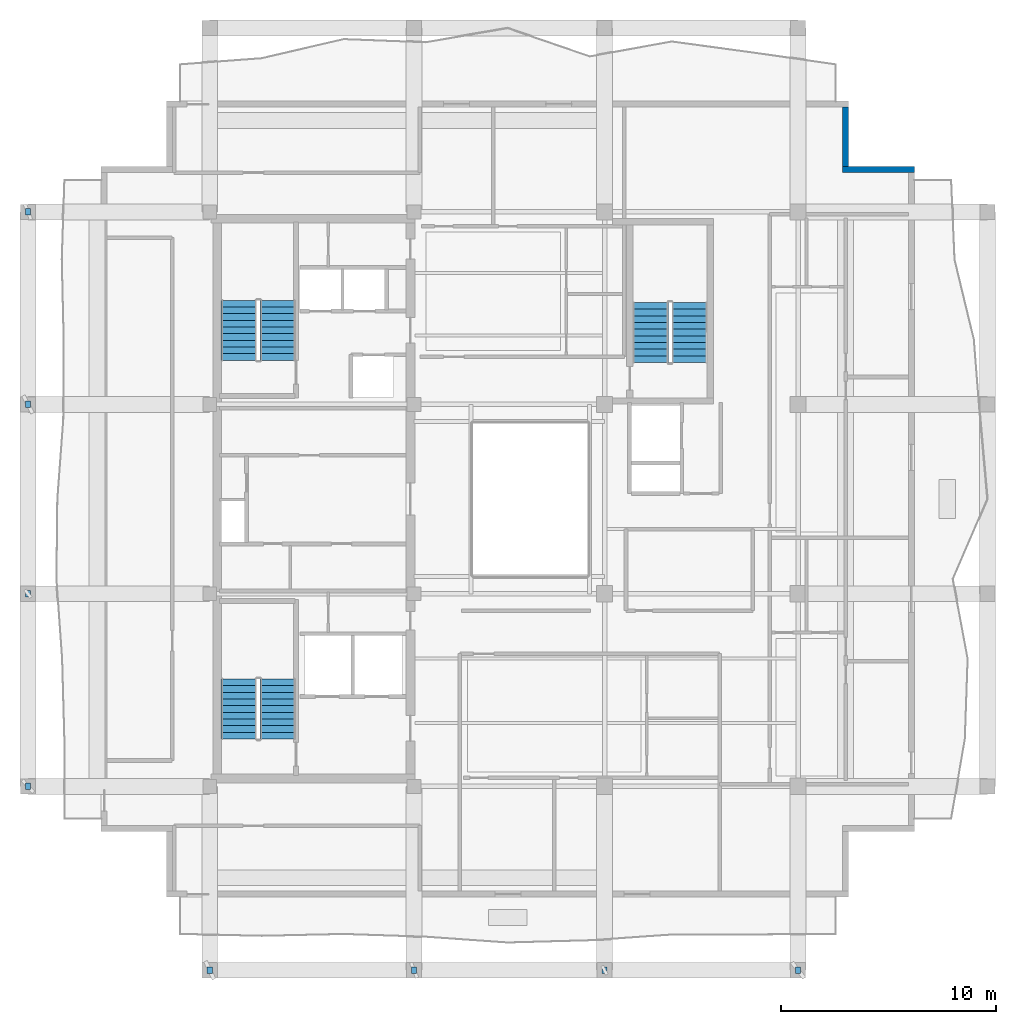
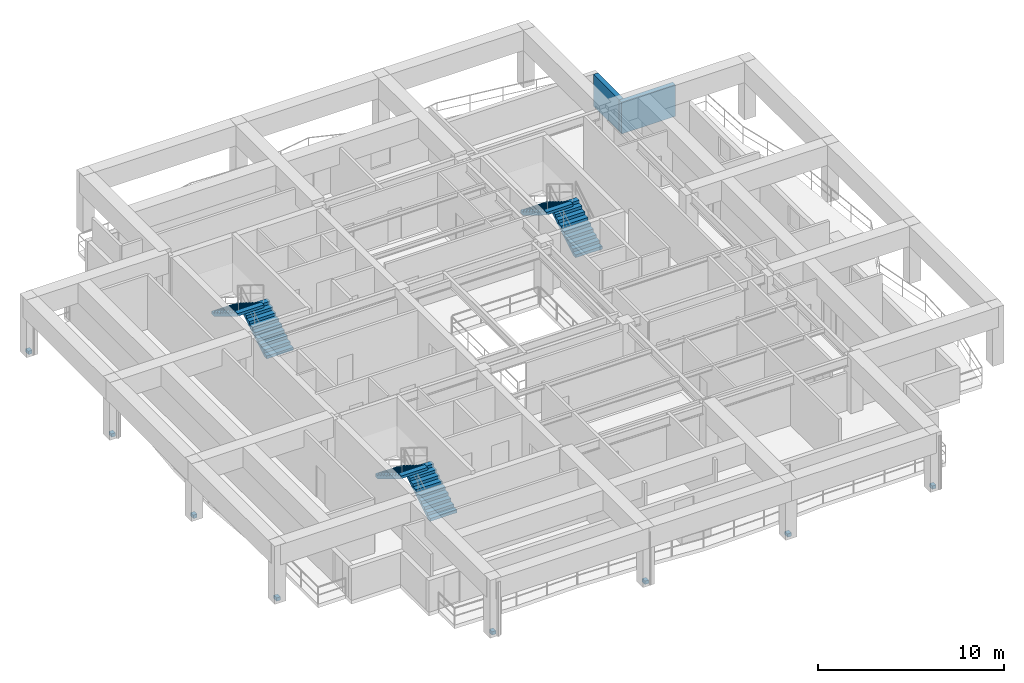
# One storey, part 6 of 10: 8 discrete accessories, 6 stair flights, 2 walls, 3 elements without a shape of their own.
"""IFC4 building model written with IfcOpenShell, lengths in metres."""

import ifcopenshell
import ifcopenshell.guid

model = None  # the IFC model being written
_history = None  # IfcOwnerHistory: only IFC2X3 demands one
_inside = {}  # id of a spatial element -> (the spatial element, [elements in it])
_under = {}  # id of a project, library or spatial element -> (it, [spatial elements below it])
_declared = {}  # id of a project -> (the project, [libraries it declares])
_typed = {}  # id of a type object -> (the type object, [elements of that type])
_made_of = {}  # id of a material, layer set ... -> (it, [elements and type objects made of it])


def new_model(schema):
    """Start an empty IFC model of exactly this schema.

    Asked for "IFC4X3", IfcOpenShell would pick the latest addendum, in which some entities
    have other attributes; the version numbers below select the first issue.
    IFC2X3 requires an IfcOwnerHistory on every rooted entity: one is made here for all.
    """
    global model, _history
    if schema == "IFC4X3":
        model = ifcopenshell.file(schema_version=(4, 3, 0, 0))
    else:
        model = ifcopenshell.file(schema=schema)
    _inside.clear()
    _under.clear()
    _declared.clear()
    _typed.clear()
    _made_of.clear()
    _history = None
    if model.schema == "IFC2X3":
        org = make("IfcOrganization", Name="unknown")
        user = make(
            "IfcPersonAndOrganization",
            ThePerson=make("IfcPerson", FamilyName="unknown"),
            TheOrganization=org,
        )
        app = make(
            "IfcApplication",
            ApplicationDeveloper=org,
            Version="unknown",
            ApplicationFullName="unknown",
            ApplicationIdentifier="unknown",
        )
        _history = make(
            "IfcOwnerHistory",
            OwningUser=user,
            OwningApplication=app,
            ChangeAction="ADDED",
            CreationDate=0,
        )
    return model


def make(cls, **values):
    """One entity of the class cls with the attributes given. An attribute that is None is left unset."""
    return model.create_entity(
        cls, **{name: value for name, value in values.items() if value is not None}
    )


def rooted(cls, **values):
    """An entity with a GlobalId (a new one), such as an element, a storey or a relation."""
    return make(cls, GlobalId=ifcopenshell.guid.new(), OwnerHistory=_history, **values)


def si_unit(unit_type, name, prefix=None):
    """IfcSIUnit, for example si_unit("LENGTHUNIT", "METRE", prefix="MILLI")."""
    return make("IfcSIUnit", UnitType=unit_type, Prefix=prefix, Name=name)


def assignment(units):
    """IfcUnitAssignment: the units of a project."""
    return None if units is None else make("IfcUnitAssignment", Units=units)


def point(xyz):
    """IfcCartesianPoint."""
    return None if xyz is None else make("IfcCartesianPoint", Coordinates=xyz)


def direction(xyz):
    """IfcDirection."""
    return None if xyz is None else make("IfcDirection", DirectionRatios=xyz)


def frame(location, z_axis=None, x_axis=None):
    """IfcAxis2Placement3D, a coordinate frame: its origin and axes. An axis left out is left unset."""
    return make(
        "IfcAxis2Placement3D",
        Location=point(location),
        Axis=direction(z_axis),
        RefDirection=direction(x_axis),
    )


def frame_2d(location, x_axis=None):
    """IfcAxis2Placement2D, a coordinate frame in the plane: its origin and x axis."""
    return make(
        "IfcAxis2Placement2D", Location=point(location), RefDirection=direction(x_axis)
    )


def origin():
    """The frame at (0, 0, 0) with its axes left unset."""
    return frame((0.0, 0.0, 0.0))


def origin_2d():
    """The frame at (0, 0) in the plane with its x axis left unset."""
    return frame_2d((0.0, 0.0))


def place(relative_to, where):
    """IfcLocalPlacement: puts the frame where relative to a parent placement (None: the world)."""
    return make(
        "IfcLocalPlacement", PlacementRelTo=relative_to, RelativePlacement=where
    )


def context(
    kind, dimensions, precision=None, world=None, true_north=None, identifier=None
):
    """IfcGeometricRepresentationContext, for example the 3D "Model" context."""
    return make(
        "IfcGeometricRepresentationContext",
        ContextIdentifier=identifier,
        ContextType=kind,
        CoordinateSpaceDimension=dimensions,
        Precision=precision,
        WorldCoordinateSystem=world,
        TrueNorth=true_north,
    )


def subcontext(parent, identifier, kind, view, scale=None):
    """IfcGeometricRepresentationSubContext, for example "Body" below "Model"."""
    return make(
        "IfcGeometricRepresentationSubContext",
        ContextIdentifier=identifier,
        ContextType=kind,
        ParentContext=parent,
        TargetScale=scale,
        TargetView=view,
    )


def project(units=None, contexts=None):
    """IfcProject with its units and contexts."""
    return rooted(
        "IfcProject",
        Name="project",
        RepresentationContexts=contexts,
        UnitsInContext=assignment(units),
    )


def spatial(cls, under=None, at=None, **own):
    """A site, building, storey or space (cls), placed at a placement, below another one or the project."""
    s = rooted(cls, ObjectPlacement=at, **own)
    if under is not None:
        _under.setdefault(under.id(), (under, []))[1].append(s)
    return s


def polyline(points):
    """IfcPolyline through the points."""
    return make("IfcPolyline", Points=[point(p) for p in points])


def profile(cls, at=None, kind="AREA", **sizes):
    """A parametric profile (cls). Its sizes go by their IFC names, for example OverallWidth=200.0."""
    return make(cls, ProfileType=kind, Position=at, **sizes)


def rectangle(**sizes):
    """IfcRectangleProfileDef."""
    return profile("IfcRectangleProfileDef", **sizes)


def outline(outer, holes=None, kind="AREA"):
    """IfcArbitraryClosedProfileDef: a profile drawn as a closed curve; with holes, ...WithVoids."""
    if holes is None:
        return make("IfcArbitraryClosedProfileDef", ProfileType=kind, OuterCurve=outer)
    return make(
        "IfcArbitraryProfileDefWithVoids",
        ProfileType=kind,
        OuterCurve=outer,
        InnerCurves=holes,
    )


def extrude(swept, where, along, depth):
    """IfcExtrudedAreaSolid: the profile swept, set in the frame where, extruded along a direction by depth."""
    return make(
        "IfcExtrudedAreaSolid",
        SweptArea=swept,
        Position=where,
        ExtrudedDirection=direction(along),
        Depth=depth,
    )


def shape(context_of_items, identifier, shape_type, items):
    """IfcShapeRepresentation: the items that make up one representation, for example the "Body"."""
    return make(
        "IfcShapeRepresentation",
        ContextOfItems=context_of_items,
        RepresentationIdentifier=identifier,
        RepresentationType=shape_type,
        Items=items,
    )


def material(Name=None, Category=None):
    """IfcMaterial."""
    return make("IfcMaterial", Name=Name, Category=Category)


def layer(
    of_material, thickness, ventilated=None, Name=None, Category=None, Priority=None
):
    """IfcMaterialLayer: one layer of a wall or slab, of a material (None: an air gap)."""
    return make(
        "IfcMaterialLayer",
        Material=of_material,
        LayerThickness=thickness,
        IsVentilated=ventilated,
        Name=Name,
        Category=Category,
        Priority=Priority,
    )


def layer_set(layers, Name=None):
    """IfcMaterialLayerSet."""
    return make("IfcMaterialLayerSet", MaterialLayers=layers, LayerSetName=Name)


def made_of(thing, what):
    """Note that an element or type object is made of a material, layer set ...; save() writes the relation."""
    if what is not None:
        _made_of.setdefault(what.id(), (what, []))[1].append(thing)
    return thing


def type_object(cls, material=None, **own):
    """A type object (cls), such as IfcWallType, which elements share."""
    return made_of(rooted(cls, **own), material)


def element(
    cls,
    number,
    at=None,
    inside=None,
    cuts=None,
    type_object=None,
    material=None,
    context=None,
    identifier="Body",
    shape_type=None,
    held_by="IfcProductDefinitionShape",
    body=None,
    shapes=None,
    **own,
):
    """One element of the class cls, such as IfcWall. Its Tag is "e" and its number.

    at: its placement. inside: the storey or other place that contains it. cuts: it is an
    opening in that element (IfcRelVoidsElement). A single representation is given by context,
    identifier, shape_type and body (its items); several are given by shapes. held_by: the class
    of the entity that holds the representations. save() writes the other relations.
    """
    e = rooted(cls, Tag="e%d" % number, ObjectPlacement=at, **own)
    if body is not None:
        shapes = [shape(context, identifier, shape_type, body)]
    if shapes is not None:
        e.Representation = make(held_by, Representations=shapes)
    if inside is not None:
        _inside.setdefault(inside.id(), (inside, []))[1].append(e)
    if cuts is not None:
        rooted(
            "IfcRelVoidsElement", RelatingBuildingElement=cuts, RelatedOpeningElement=e
        )
    if type_object is not None:
        _typed.setdefault(type_object.id(), (type_object, []))[1].append(e)
    return made_of(e, material)


def aggregate(whole, parts):
    """IfcRelAggregates: a whole, such as a stair, and the parts it consists of."""
    return rooted("IfcRelAggregates", RelatingObject=whole, RelatedObjects=parts)


def save(model, path):
    """Write the relations noted so far, then the file.

    IfcRelAggregates (storeys below a building ...), IfcRelContainedInSpatialStructure (elements
    in a storey), IfcRelDefinesByType, IfcRelAssociatesMaterial and IfcRelDeclares: one each for
    every whole, place, type object, material and project.
    """
    for whole, parts in _under.values():
        aggregate(whole, parts)
    for where, things in _inside.values():
        rooted(
            "IfcRelContainedInSpatialStructure",
            RelatedElements=things,
            RelatingStructure=where,
        )
    for kind, things in _typed.values():
        rooted("IfcRelDefinesByType", RelatedObjects=things, RelatingType=kind)
    for what, things in _made_of.values():
        rooted("IfcRelAssociatesMaterial", RelatedObjects=things, RelatingMaterial=what)
    for by, libraries in _declared.values():
        rooted("IfcRelDeclares", RelatingContext=by, RelatedDefinitions=libraries)
    model.write(path)


model = new_model("IFC4")

# Units and contexts
model_context = context("Model", 3, precision=1e-05, world=origin(), true_north=direction((0.0, 1.0)))
body_context = subcontext(model_context, "Body", "Model", "MODEL_VIEW")
ifc_project = project(units=[si_unit("LENGTHUNIT", "METRE"), si_unit("AREAUNIT", "SQUARE_METRE"), si_unit("VOLUMEUNIT", "CUBIC_METRE"), si_unit("PLANEANGLEUNIT", "RADIAN"), si_unit("MASSUNIT", "GRAM", prefix="KILO")], contexts=[model_context])

# Site, building, storey
site_placement = place(None, origin())
site = spatial("IfcSite", under=ifc_project, at=site_placement, CompositionType="ELEMENT")
building_placement = place(site_placement, origin())
building = spatial("IfcBuilding", under=site, at=building_placement, Name="Kundavana Baori Tower", CompositionType="ELEMENT")
storey_placement = place(building_placement, frame((0.0, 0.0, 323.89990234375)))
storey = spatial("IfcBuildingStorey", under=building, at=storey_placement, Name="L80", CompositionType="ELEMENT", Elevation=323.89990234375)

# Walls
ifc_material_1 = material(Name="Red-Buff Dholpur Sandstone Cladding on Concrete C40/50", Category="masonry")
ifc_layer = layer(ifc_material_1, 0.280029296875, Name="WL-EXT-SAND-280")
ifc_layer_set = layer_set([ifc_layer], Name="Red-Buff Dholpur Sandstone Cladding on Concrete C40/50")
wall_type = type_object("IfcWallType", Name="WL-EXT-SAND-280", PredefinedType="STANDARD", material=ifc_layer_set)
wall_1_placement = place(storey_placement, frame((48.199951171875, 43.909912109375, 0.0), z_axis=(0.0, 0.0, 1.0), x_axis=(-1.0, 0.0, 0.0)))
element("IfcWall", 1, at=wall_1_placement, inside=storey, type_object=wall_type, Name="L80 Exterior Insulated Facade Wall 05", PredefinedType="STANDARD", context=body_context, shape_type="SweptSolid", body=[
    extrude(rectangle(XDim=3.329833984375, YDim=0.280029296875, at=frame_2d((1.6650390625, 0.0))), origin(), (0.0, 0.0, 1.0), 2.080078125),
])
wall_2_placement = place(storey_placement, frame((45.010009765625, 44.050048828125, 0.0), z_axis=(0.0, 0.0, 1.0), x_axis=(0.0, 1.0, 0.0)))
element("IfcWall", 2, at=wall_2_placement, inside=storey, type_object=wall_type, Name="L80 Exterior Insulated Facade Wall 06", PredefinedType="STANDARD", context=body_context, shape_type="SweptSolid", body=[
    extrude(rectangle(XDim=2.77001953125, YDim=0.280029296875, at=frame_2d((1.385009765625, 0.0))), origin(), (0.0, 0.0, 1.0), 2.080078125),
])

# Stair, stair flights
ifc_material_2 = material(Name="Concrete C40/50", Category="concrete")
stair_type = type_object("IfcStairType", Name="STR-DOG-1650", PredefinedType="HALF_TURN_STAIR", material=ifc_material_2)
stair_1_placement = place(storey_placement, origin())
stair_1 = element("IfcStair", 3, at=stair_1_placement, inside=storey, type_object=stair_type, Name="L80 Protected Exit Stair ST1", PredefinedType="HALF_TURN_STAIR")
ifc_material_3 = material(Name="Concrete C40/50", Category="concrete")
stair_flight_type = type_object("IfcStairFlightType", Name="SFL-RC-1650", PredefinedType="STRAIGHT", material=ifc_material_3)
stair_flight_1_placement = place(storey_placement, frame((18.614990234375, 17.449951171875, 0.0), z_axis=(0.0, 0.0, 1.0), x_axis=(0.0, 1.0, 0.0)))
stair_flight_1 = element("IfcStairFlight", 4, at=stair_flight_1_placement, type_object=stair_flight_type, Name="ST1 flight 1", NumberOfRisers=10, NumberOfTreads=9, PredefinedType="STRAIGHT", RiserHeight=0.19, TreadLength=0.31, context=body_context, shape_type="SweptSolid", body=[
    extrude(outline(polyline([(0.0, 0.0), (0.0, 0.18994140625), (0.31005859375, 0.18994140625), (0.31005859375, 0.3798828125), (0.6201171875, 0.3798828125), (0.6201171875, 0.570068359375), (0.929931640625, 0.570068359375), (0.929931640625, 0.760009765625), (1.239990234375, 0.760009765625), (1.239990234375, 0.949951171875), (1.550048828125, 0.949951171875), (1.550048828125, 1.139892578125), (1.860107421875, 1.139892578125), (1.860107421875, 1.330078125), (2.169921875, 1.330078125), (2.169921875, 1.52001953125), (2.47998046875, 1.52001953125), (2.47998046875, 1.7099609375), (2.7900390625, 1.7099609375), (2.7900390625, 1.89990234375), (2.7900390625, 1.5341796875), (0.286865234375, 0.0), (0.0, 0.0)])), frame((0.0, 0.824951171875, 0.0), z_axis=(0.0, -1.0, 0.0), x_axis=(1.0, 0.0, 0.0)), (0.0, 0.0, 1.0), 1.64990234375),
])
stair_flight_2_placement = place(storey_placement, frame((16.804931640625, 20.239990234375, 1.900146484375), z_axis=(0.0, 0.0, 1.0), x_axis=(0.0, -1.0, 0.0)))
stair_flight_2 = element("IfcStairFlight", 5, at=stair_flight_2_placement, type_object=stair_flight_type, Name="ST1 flight 2", NumberOfRisers=10, NumberOfTreads=9, PredefinedType="STRAIGHT", RiserHeight=0.19, TreadLength=0.31, context=body_context, shape_type="SweptSolid", body=[
    extrude(outline(polyline([(0.0, 0.0), (0.0, 0.18994140625), (0.31005859375, 0.18994140625), (0.31005859375, 0.3798828125), (0.6201171875, 0.3798828125), (0.6201171875, 0.570068359375), (0.929931640625, 0.570068359375), (0.929931640625, 0.760009765625), (1.239990234375, 0.760009765625), (1.239990234375, 0.949951171875), (1.550048828125, 0.949951171875), (1.550048828125, 1.139892578125), (1.860107421875, 1.139892578125), (1.860107421875, 1.330078125), (2.169921875, 1.330078125), (2.169921875, 1.52001953125), (2.47998046875, 1.52001953125), (2.47998046875, 1.7099609375), (2.7900390625, 1.7099609375), (2.7900390625, 1.89990234375), (2.7900390625, 1.5341796875), (0.286865234375, 0.0), (0.0, 0.0)])), frame((0.0, 0.824951171875, 0.0), z_axis=(0.0, -1.0, 0.0), x_axis=(1.0, 0.0, 0.0)), (0.0, 0.0, 1.0), 1.64990234375),
])
aggregate(stair_1, [stair_flight_1, stair_flight_2])

stair_2_placement = place(storey_placement, origin())
stair_2 = element("IfcStair", 6, at=stair_2_placement, inside=storey, type_object=stair_type, Name="L80 Protected Exit Stair ST2", PredefinedType="HALF_TURN_STAIR")
stair_flight_3_placement = place(storey_placement, frame((18.614990234375, 35.050048828125, 0.0), z_axis=(0.0, 0.0, 1.0), x_axis=(0.0, 1.0, 0.0)))
stair_flight_3 = element("IfcStairFlight", 7, at=stair_flight_3_placement, type_object=stair_flight_type, Name="ST2 flight 1", NumberOfRisers=10, NumberOfTreads=9, PredefinedType="STRAIGHT", RiserHeight=0.19, TreadLength=0.31, context=body_context, shape_type="SweptSolid", body=[
    extrude(outline(polyline([(0.0, 0.0), (0.0, 0.18994140625), (0.31005859375, 0.18994140625), (0.31005859375, 0.3798828125), (0.6201171875, 0.3798828125), (0.6201171875, 0.570068359375), (0.929931640625, 0.570068359375), (0.929931640625, 0.760009765625), (1.239990234375, 0.760009765625), (1.239990234375, 0.949951171875), (1.550048828125, 0.949951171875), (1.550048828125, 1.139892578125), (1.860107421875, 1.139892578125), (1.860107421875, 1.330078125), (2.169921875, 1.330078125), (2.169921875, 1.52001953125), (2.47998046875, 1.52001953125), (2.47998046875, 1.7099609375), (2.7900390625, 1.7099609375), (2.7900390625, 1.89990234375), (2.7900390625, 1.5341796875), (0.286865234375, 0.0), (0.0, 0.0)])), frame((0.0, 0.824951171875, 0.0), z_axis=(0.0, -1.0, 0.0), x_axis=(1.0, 0.0, 0.0)), (0.0, 0.0, 1.0), 1.64990234375),
])
stair_flight_4_placement = place(storey_placement, frame((16.804931640625, 37.840087890625, 1.900146484375), z_axis=(0.0, 0.0, 1.0), x_axis=(0.0, -1.0, 0.0)))
stair_flight_4 = element("IfcStairFlight", 8, at=stair_flight_4_placement, type_object=stair_flight_type, Name="ST2 flight 2", NumberOfRisers=10, NumberOfTreads=9, PredefinedType="STRAIGHT", RiserHeight=0.19, TreadLength=0.31, context=body_context, shape_type="SweptSolid", body=[
    extrude(outline(polyline([(0.0, 0.0), (0.0, 0.18994140625), (0.31005859375, 0.18994140625), (0.31005859375, 0.3798828125), (0.6201171875, 0.3798828125), (0.6201171875, 0.570068359375), (0.929931640625, 0.570068359375), (0.929931640625, 0.760009765625), (1.239990234375, 0.760009765625), (1.239990234375, 0.949951171875), (1.550048828125, 0.949951171875), (1.550048828125, 1.139892578125), (1.860107421875, 1.139892578125), (1.860107421875, 1.330078125), (2.169921875, 1.330078125), (2.169921875, 1.52001953125), (2.47998046875, 1.52001953125), (2.47998046875, 1.7099609375), (2.7900390625, 1.7099609375), (2.7900390625, 1.89990234375), (2.7900390625, 1.5341796875), (0.286865234375, 0.0), (0.0, 0.0)])), frame((0.0, 0.824951171875, 0.0), z_axis=(0.0, -1.0, 0.0), x_axis=(1.0, 0.0, 0.0)), (0.0, 0.0, 1.0), 1.64990234375),
])
aggregate(stair_2, [stair_flight_3, stair_flight_4])

stair_3_placement = place(storey_placement, origin())
stair_3 = element("IfcStair", 9, at=stair_3_placement, inside=storey, type_object=stair_type, Name="L80 Protected Exit Stair ST3", PredefinedType="HALF_TURN_STAIR")
stair_flight_5_placement = place(storey_placement, frame((37.7548828125, 34.949951171875, 0.0), z_axis=(0.0, 0.0, 1.0), x_axis=(0.0, 1.0, 0.0)))
stair_flight_5 = element("IfcStairFlight", 10, at=stair_flight_5_placement, type_object=stair_flight_type, Name="ST3 flight 1", NumberOfRisers=10, NumberOfTreads=9, PredefinedType="STRAIGHT", RiserHeight=0.19, TreadLength=0.31, context=body_context, shape_type="SweptSolid", body=[
    extrude(outline(polyline([(0.0, 0.0), (0.0, 0.18994140625), (0.31005859375, 0.18994140625), (0.31005859375, 0.3798828125), (0.6201171875, 0.3798828125), (0.6201171875, 0.570068359375), (0.929931640625, 0.570068359375), (0.929931640625, 0.760009765625), (1.239990234375, 0.760009765625), (1.239990234375, 0.949951171875), (1.550048828125, 0.949951171875), (1.550048828125, 1.139892578125), (1.860107421875, 1.139892578125), (1.860107421875, 1.330078125), (2.169921875, 1.330078125), (2.169921875, 1.52001953125), (2.47998046875, 1.52001953125), (2.47998046875, 1.7099609375), (2.7900390625, 1.7099609375), (2.7900390625, 1.89990234375), (2.7900390625, 1.5341796875), (0.286865234375, 0.0), (0.0, 0.0)])), frame((0.0, 0.824951171875, 0.0), z_axis=(0.0, -1.0, 0.0), x_axis=(1.0, 0.0, 0.0)), (0.0, 0.0, 1.0), 1.64990234375),
])
stair_flight_6_placement = place(storey_placement, frame((35.945068359375, 37.739990234375, 1.900146484375), z_axis=(0.0, 0.0, 1.0), x_axis=(0.0, -1.0, 0.0)))
stair_flight_6 = element("IfcStairFlight", 11, at=stair_flight_6_placement, type_object=stair_flight_type, Name="ST3 flight 2", NumberOfRisers=10, NumberOfTreads=9, PredefinedType="STRAIGHT", RiserHeight=0.19, TreadLength=0.31, context=body_context, shape_type="SweptSolid", body=[
    extrude(outline(polyline([(0.0, 0.0), (0.0, 0.18994140625), (0.31005859375, 0.18994140625), (0.31005859375, 0.3798828125), (0.6201171875, 0.3798828125), (0.6201171875, 0.570068359375), (0.929931640625, 0.570068359375), (0.929931640625, 0.760009765625), (1.239990234375, 0.760009765625), (1.239990234375, 0.949951171875), (1.550048828125, 0.949951171875), (1.550048828125, 1.139892578125), (1.860107421875, 1.139892578125), (1.860107421875, 1.330078125), (2.169921875, 1.330078125), (2.169921875, 1.52001953125), (2.47998046875, 1.52001953125), (2.47998046875, 1.7099609375), (2.7900390625, 1.7099609375), (2.7900390625, 1.89990234375), (2.7900390625, 1.5341796875), (0.286865234375, 0.0), (0.0, 0.0)])), frame((0.0, 0.824951171875, 0.0), z_axis=(0.0, -1.0, 0.0), x_axis=(1.0, 0.0, 0.0)), (0.0, 0.0, 1.0), 1.64990234375),
])
aggregate(stair_3, [stair_flight_5, stair_flight_6])

# Discrete accessories
ifc_material_4 = material(Name="Structural Steel S355JR", Category="steel")
discrete_accessory_type = type_object("IfcDiscreteAccessoryType", Name="ACC-BRK-FIN", PredefinedType="BRACKET", material=ifc_material_4)
for number, where, z_axis, x_axis, name in (
    (12, (15.449951171875, 6.699951171875, 0.0), (0.0, 0.0, 1.0), (1.0, 0.0, 0.0), "L80 Stainless Fin Anchor Bracket 1"),
    (13, (24.949951171875, 6.699951171875, 0.0), (0.0, 0.0, 1.0), (1.0, 0.0, 0.0), "L80 Stainless Fin Anchor Bracket 2"),
    (14, (33.800048828125, 6.699951171875, 0.0), (0.0, 0.0, 1.0), (1.0, 0.0, 0.0), "L80 Stainless Fin Anchor Bracket 3"),
    (15, (42.800048828125, 6.699951171875, 0.0), (0.0, 0.0, 1.0), (1.0, 0.0, 0.0), "L80 Stainless Fin Anchor Bracket 4"),
    (16, (7.0, 15.25, 0.0), (0.0, 0.0, 1.0), (1.0, 0.0, 0.0), "L80 Stainless Fin Anchor Bracket 5"),
    (17, (7.0, 24.199951171875, 0.0), (0.0, 0.0, 1.0), (1.0, 0.0, 0.0), "L80 Stainless Fin Anchor Bracket 6"),
    (18, (7.0, 33.0, 0.0), (0.0, 0.0, 1.0), (1.0, 0.0, 0.0), "L80 Stainless Fin Anchor Bracket 7"),
    (19, (7.0, 41.949951171875, 0.0), (0.0, 0.0, 1.0), (1.0, 0.0, 0.0), "L80 Stainless Fin Anchor Bracket 8"),
):
    element("IfcDiscreteAccessory", number, at=place(storey_placement, frame(where, z_axis=z_axis, x_axis=x_axis)), inside=storey, type_object=discrete_accessory_type, Name=name, PredefinedType="BRACKET", context=body_context, shape_type="SweptSolid", body=[
        extrude(rectangle(XDim=0.239990234375, YDim=0.300048828125, at=origin_2d()), origin(), (0.0, 0.0, 1.0), 0.219970703125),
    ])

save(model, "model.ifc")
